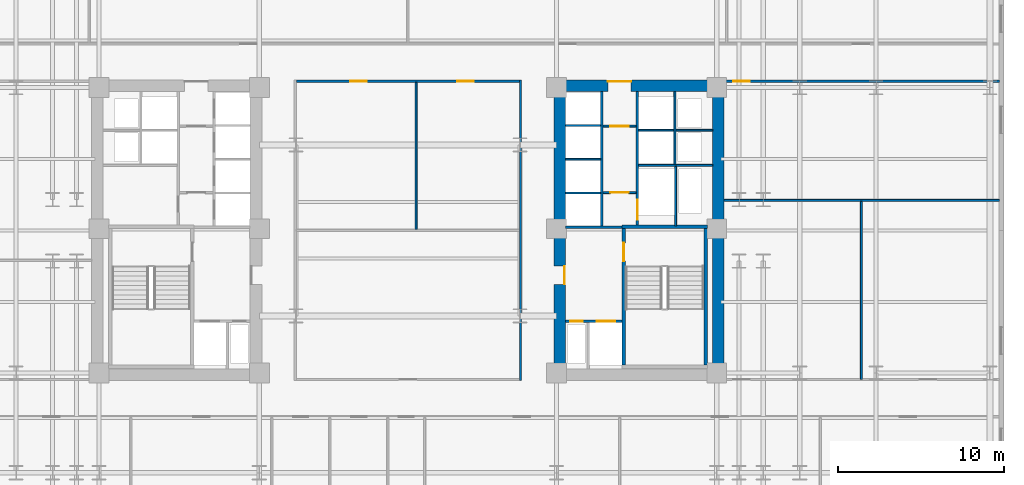
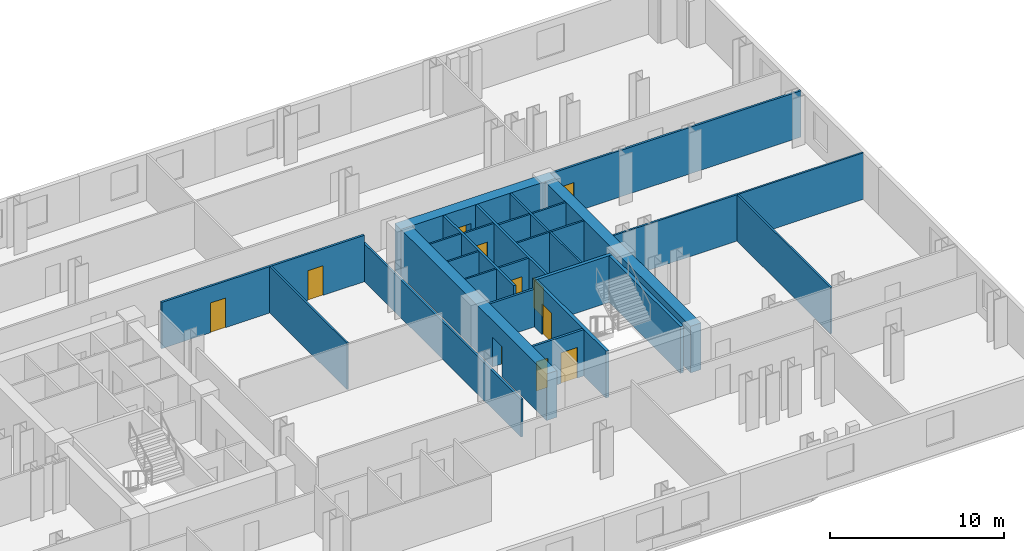
# One storey, part 6 of 10: 26 walls, 11 doors, 11 openings.
"""IFC4 building model written with IfcOpenShell, lengths in metres."""

import ifcopenshell
import ifcopenshell.guid

model = None  # the IFC model being written
_history = None  # IfcOwnerHistory: only IFC2X3 demands one
_inside = {}  # id of a spatial element -> (the spatial element, [elements in it])
_under = {}  # id of a project, library or spatial element -> (it, [spatial elements below it])
_declared = {}  # id of a project -> (the project, [libraries it declares])
_typed = {}  # id of a type object -> (the type object, [elements of that type])
_made_of = {}  # id of a material, layer set ... -> (it, [elements and type objects made of it])


def new_model(schema):
    """Start an empty IFC model of exactly this schema.

    Asked for "IFC4X3", IfcOpenShell would pick the latest addendum, in which some entities
    have other attributes; the version numbers below select the first issue.
    IFC2X3 requires an IfcOwnerHistory on every rooted entity: one is made here for all.
    """
    global model, _history
    if schema == "IFC4X3":
        model = ifcopenshell.file(schema_version=(4, 3, 0, 0))
    else:
        model = ifcopenshell.file(schema=schema)
    _inside.clear()
    _under.clear()
    _declared.clear()
    _typed.clear()
    _made_of.clear()
    _history = None
    if model.schema == "IFC2X3":
        org = make("IfcOrganization", Name="unknown")
        user = make(
            "IfcPersonAndOrganization",
            ThePerson=make("IfcPerson", FamilyName="unknown"),
            TheOrganization=org,
        )
        app = make(
            "IfcApplication",
            ApplicationDeveloper=org,
            Version="unknown",
            ApplicationFullName="unknown",
            ApplicationIdentifier="unknown",
        )
        _history = make(
            "IfcOwnerHistory",
            OwningUser=user,
            OwningApplication=app,
            ChangeAction="ADDED",
            CreationDate=0,
        )
    return model


def make(cls, **values):
    """One entity of the class cls with the attributes given. An attribute that is None is left unset."""
    return model.create_entity(
        cls, **{name: value for name, value in values.items() if value is not None}
    )


def rooted(cls, **values):
    """An entity with a GlobalId (a new one), such as an element, a storey or a relation."""
    return make(cls, GlobalId=ifcopenshell.guid.new(), OwnerHistory=_history, **values)


def si_unit(unit_type, name, prefix=None):
    """IfcSIUnit, for example si_unit("LENGTHUNIT", "METRE", prefix="MILLI")."""
    return make("IfcSIUnit", UnitType=unit_type, Prefix=prefix, Name=name)


def assignment(units):
    """IfcUnitAssignment: the units of a project."""
    return None if units is None else make("IfcUnitAssignment", Units=units)


def point(xyz):
    """IfcCartesianPoint."""
    return None if xyz is None else make("IfcCartesianPoint", Coordinates=xyz)


def direction(xyz):
    """IfcDirection."""
    return None if xyz is None else make("IfcDirection", DirectionRatios=xyz)


def frame(location, z_axis=None, x_axis=None):
    """IfcAxis2Placement3D, a coordinate frame: its origin and axes. An axis left out is left unset."""
    return make(
        "IfcAxis2Placement3D",
        Location=point(location),
        Axis=direction(z_axis),
        RefDirection=direction(x_axis),
    )


def frame_2d(location, x_axis=None):
    """IfcAxis2Placement2D, a coordinate frame in the plane: its origin and x axis."""
    return make(
        "IfcAxis2Placement2D", Location=point(location), RefDirection=direction(x_axis)
    )


def origin():
    """The frame at (0, 0, 0) with its axes left unset."""
    return frame((0.0, 0.0, 0.0))


def place(relative_to, where):
    """IfcLocalPlacement: puts the frame where relative to a parent placement (None: the world)."""
    return make(
        "IfcLocalPlacement", PlacementRelTo=relative_to, RelativePlacement=where
    )


def context(
    kind, dimensions, precision=None, world=None, true_north=None, identifier=None
):
    """IfcGeometricRepresentationContext, for example the 3D "Model" context."""
    return make(
        "IfcGeometricRepresentationContext",
        ContextIdentifier=identifier,
        ContextType=kind,
        CoordinateSpaceDimension=dimensions,
        Precision=precision,
        WorldCoordinateSystem=world,
        TrueNorth=true_north,
    )


def subcontext(parent, identifier, kind, view, scale=None):
    """IfcGeometricRepresentationSubContext, for example "Body" below "Model"."""
    return make(
        "IfcGeometricRepresentationSubContext",
        ContextIdentifier=identifier,
        ContextType=kind,
        ParentContext=parent,
        TargetScale=scale,
        TargetView=view,
    )


def project(units=None, contexts=None):
    """IfcProject with its units and contexts."""
    return rooted(
        "IfcProject",
        Name="project",
        RepresentationContexts=contexts,
        UnitsInContext=assignment(units),
    )


def spatial(cls, under=None, at=None, **own):
    """A site, building, storey or space (cls), placed at a placement, below another one or the project."""
    s = rooted(cls, ObjectPlacement=at, **own)
    if under is not None:
        _under.setdefault(under.id(), (under, []))[1].append(s)
    return s


def profile(cls, at=None, kind="AREA", **sizes):
    """A parametric profile (cls). Its sizes go by their IFC names, for example OverallWidth=200.0."""
    return make(cls, ProfileType=kind, Position=at, **sizes)


def rectangle(**sizes):
    """IfcRectangleProfileDef."""
    return profile("IfcRectangleProfileDef", **sizes)


def extrude(swept, where, along, depth):
    """IfcExtrudedAreaSolid: the profile swept, set in the frame where, extruded along a direction by depth."""
    return make(
        "IfcExtrudedAreaSolid",
        SweptArea=swept,
        Position=where,
        ExtrudedDirection=direction(along),
        Depth=depth,
    )


def shape(context_of_items, identifier, shape_type, items):
    """IfcShapeRepresentation: the items that make up one representation, for example the "Body"."""
    return make(
        "IfcShapeRepresentation",
        ContextOfItems=context_of_items,
        RepresentationIdentifier=identifier,
        RepresentationType=shape_type,
        Items=items,
    )


def material(Name=None, Category=None):
    """IfcMaterial."""
    return make("IfcMaterial", Name=Name, Category=Category)


def layer(
    of_material, thickness, ventilated=None, Name=None, Category=None, Priority=None
):
    """IfcMaterialLayer: one layer of a wall or slab, of a material (None: an air gap)."""
    return make(
        "IfcMaterialLayer",
        Material=of_material,
        LayerThickness=thickness,
        IsVentilated=ventilated,
        Name=Name,
        Category=Category,
        Priority=Priority,
    )


def layer_set(layers, Name=None):
    """IfcMaterialLayerSet."""
    return make("IfcMaterialLayerSet", MaterialLayers=layers, LayerSetName=Name)


def made_of(thing, what):
    """Note that an element or type object is made of a material, layer set ...; save() writes the relation."""
    if what is not None:
        _made_of.setdefault(what.id(), (what, []))[1].append(thing)
    return thing


def type_object(cls, material=None, **own):
    """A type object (cls), such as IfcWallType, which elements share."""
    return made_of(rooted(cls, **own), material)


def element(
    cls,
    number,
    at=None,
    inside=None,
    cuts=None,
    type_object=None,
    material=None,
    context=None,
    identifier="Body",
    shape_type=None,
    held_by="IfcProductDefinitionShape",
    body=None,
    shapes=None,
    **own,
):
    """One element of the class cls, such as IfcWall. Its Tag is "e" and its number.

    at: its placement. inside: the storey or other place that contains it. cuts: it is an
    opening in that element (IfcRelVoidsElement). A single representation is given by context,
    identifier, shape_type and body (its items); several are given by shapes. held_by: the class
    of the entity that holds the representations. save() writes the other relations.
    """
    e = rooted(cls, Tag="e%d" % number, ObjectPlacement=at, **own)
    if body is not None:
        shapes = [shape(context, identifier, shape_type, body)]
    if shapes is not None:
        e.Representation = make(held_by, Representations=shapes)
    if inside is not None:
        _inside.setdefault(inside.id(), (inside, []))[1].append(e)
    if cuts is not None:
        rooted(
            "IfcRelVoidsElement", RelatingBuildingElement=cuts, RelatedOpeningElement=e
        )
    if type_object is not None:
        _typed.setdefault(type_object.id(), (type_object, []))[1].append(e)
    return made_of(e, material)


def fill(opening, filler):
    """IfcRelFillsElement: the door or window that sits in an opening."""
    return rooted(
        "IfcRelFillsElement",
        RelatingOpeningElement=opening,
        RelatedBuildingElement=filler,
    )


def aggregate(whole, parts):
    """IfcRelAggregates: a whole, such as a stair, and the parts it consists of."""
    return rooted("IfcRelAggregates", RelatingObject=whole, RelatedObjects=parts)


def save(model, path):
    """Write the relations noted so far, then the file.

    IfcRelAggregates (storeys below a building ...), IfcRelContainedInSpatialStructure (elements
    in a storey), IfcRelDefinesByType, IfcRelAssociatesMaterial and IfcRelDeclares: one each for
    every whole, place, type object, material and project.
    """
    for whole, parts in _under.values():
        aggregate(whole, parts)
    for where, things in _inside.values():
        rooted(
            "IfcRelContainedInSpatialStructure",
            RelatedElements=things,
            RelatingStructure=where,
        )
    for kind, things in _typed.values():
        rooted("IfcRelDefinesByType", RelatedObjects=things, RelatingType=kind)
    for what, things in _made_of.values():
        rooted("IfcRelAssociatesMaterial", RelatedObjects=things, RelatingMaterial=what)
    for by, libraries in _declared.values():
        rooted("IfcRelDeclares", RelatingContext=by, RelatedDefinitions=libraries)
    model.write(path)


model = new_model("IFC4")

# Units and contexts
model_context = context("Model", 3, precision=1e-05, world=origin(), true_north=direction((0.0, 1.0)))
body_context = subcontext(model_context, "Body", "Model", "MODEL_VIEW")
ifc_project = project(units=[si_unit("LENGTHUNIT", "METRE"), si_unit("AREAUNIT", "SQUARE_METRE"), si_unit("VOLUMEUNIT", "CUBIC_METRE"), si_unit("PLANEANGLEUNIT", "RADIAN"), si_unit("MASSUNIT", "GRAM", prefix="KILO")], contexts=[model_context])

# Site, building, storey
site_placement = place(None, origin())
site = spatial("IfcSite", under=ifc_project, at=site_placement, CompositionType="ELEMENT")
building_placement = place(site_placement, origin())
building = spatial("IfcBuilding", under=site, at=building_placement, Name="Velakula Bourse", CompositionType="ELEMENT")
storey_placement = place(building_placement, frame((0.0, 0.0, 55.35009765625)))
storey = spatial("IfcBuildingStorey", under=building, at=storey_placement, Name="L14", CompositionType="ELEMENT", Elevation=55.35009765625)

# Wall, opening, door
ifc_material_1 = material(Name="Concrete M50 (fck 50 MPa)", Category="concrete")
ifc_layer_1 = layer(ifc_material_1, 0.2099609375, Name="Concrete M50 (fck 50 MPa)", Category="concrete")
ifc_layer_set_1 = layer_set([ifc_layer_1], Name="Concrete M50 (fck 50 MPa)")
wall_type_1 = type_object("IfcWallType", Name="WL-CORE-210", PredefinedType="SHEAR", material=ifc_layer_set_1)
wall_1_placement = place(storey_placement, frame((12.9951171875, -8.10009765625, 0.0), z_axis=(0.0, 0.0, 1.0), x_axis=(0.0, 1.0, 0.0)))
wall_1 = element("IfcWall", 1, at=wall_1_placement, inside=storey, type_object=wall_type_1, Name="L14 Core E Stairwell Shear Wall IN", PredefinedType="SHEAR", context=body_context, shape_type="SweptSolid", body=[
    extrude(rectangle(XDim=8.2001953125, YDim=0.2099609375, at=frame_2d((4.10009765625, 0.0))), origin(), (0.0, 0.0, 1.0), 3.27001953125),
])
opening_1_placement = place(wall_1_placement, frame((6.25, 0.0, 0.0)))
opening_1 = element("IfcOpeningElement", 2, at=opening_1_placement, cuts=wall_1, Name="Opening D-STE1", PredefinedType="OPENING", context=body_context, shape_type="SweptSolid", body=[
    extrude(rectangle(XDim=1.10009765625, YDim=2.14990234375, at=frame_2d((0.550048828125, 1.074951171875))), frame((0.0, 0.114990234375, 0.0), z_axis=(0.0, -1.0, 0.0), x_axis=(1.0, 0.0, 0.0)), (0.0, 0.0, 1.0), 0.22998046875),
])
ifc_material_2 = material(Name="Galvanised painted hollow steel fire door", Category="steel")
door_type_1 = type_object("IfcDoorType", Name="DR-FD120-1100x2150", OperationType="NOTDEFINED", PredefinedType="DOOR", material=ifc_material_2)
door_1_placement = place(opening_1_placement, origin())
door_1 = element("IfcDoor", 3, at=door_1_placement, inside=storey, type_object=door_type_1, Name="L14 Stair ST-E1 Fire Door", OperationType="SINGLE_SWING_RIGHT", OverallHeight=2.14990234375, OverallWidth=1.10009765625, PredefinedType="DOOR", context=body_context, shape_type="SweptSolid", body=[
    extrude(rectangle(XDim=1.10009765625, YDim=2.14990234375, at=frame_2d((0.550048828125, 1.074951171875))), frame((0.0, 0.02490234375, 0.0), z_axis=(0.0, -1.0, 0.0), x_axis=(1.0, 0.0, 0.0)), (0.0, 0.0, 1.0), 0.050048828125),
])
fill(opening_1, door_1)

# Walls
wall_2_placement = place(storey_placement, frame((17.925048828125, -8.10009765625, 0.0), z_axis=(0.0, 0.0, 1.0), x_axis=(0.0, 1.0, 0.0)))
element("IfcWall", 4, at=wall_2_placement, inside=storey, type_object=wall_type_1, Name="L14 Core E Stairwell Shear Wall OUT", PredefinedType="SHEAR", context=body_context, shape_type="SweptSolid", body=[
    extrude(rectangle(XDim=8.2001953125, YDim=0.2099609375, at=frame_2d((4.10009765625, 0.0))), origin(), (0.0, 0.0, 1.0), 3.27001953125),
])
wall_3_placement = place(storey_placement, frame((18.030029296875, 0.205078125, 0.0), z_axis=(0.0, 0.0, 1.0), x_axis=(-1.0, 0.0, 0.0)))
element("IfcWall", 5, at=wall_3_placement, inside=storey, type_object=wall_type_1, Name="L14 Core E Stairwell Shear Wall N", PredefinedType="SHEAR", context=body_context, shape_type="SweptSolid", body=[
    extrude(rectangle(XDim=5.14013671875, YDim=0.2099609375, at=frame_2d((2.570068359375, 0.0))), origin(), (0.0, 0.0, 1.0), 3.27001953125),
])

# Wall, opening, door
ifc_material_3 = material(Name="Concrete M70 (fck 70 MPa)", Category="concrete")
ifc_layer_2 = layer(ifc_material_3, 0.699951171875, Name="Concrete M70 (fck 70 MPa)", Category="concrete")
ifc_layer_set_2 = layer_set([ifc_layer_2], Name="Concrete M70 (fck 70 MPa)")
wall_type_2 = type_object("IfcWallType", Name="WL-CORE-700", PredefinedType="SHEAR", material=ifc_layer_set_2)
wall_4_placement = place(storey_placement, frame((8.800048828125, 8.699951171875, 0.0), z_axis=(0.0, 0.0, 1.0), x_axis=(1.0, 0.0, 0.0)))
wall_4 = element("IfcWall", 6, at=wall_4_placement, inside=storey, type_object=wall_type_2, Name="L14 Core E Shear Wall N", PredefinedType="SHEAR", context=body_context, shape_type="SweptSolid", body=[
    extrude(rectangle(XDim=10.25, YDim=0.699951171875, at=frame_2d((5.125, 0.0))), origin(), (0.0, 0.0, 1.0), 3.27001953125),
])
opening_2_placement = place(wall_4_placement, frame((3.25, 0.0, 0.0)))
opening_2 = element("IfcOpeningElement", 7, at=opening_2_placement, cuts=wall_4, Name="Opening D-LLE", PredefinedType="OPENING", context=body_context, shape_type="SweptSolid", body=[
    extrude(rectangle(XDim=1.39990234375, YDim=2.050048828125, at=frame_2d((0.699951171875, 1.02490234375))), frame((0.0, 0.35986328125, 0.0), z_axis=(0.0, -1.0, 0.0), x_axis=(1.0, 0.0, 0.0)), (0.0, 0.0, 1.0), 0.719970703125),
])
ifc_material_4 = material(Name="Fire-rated hardwood flush architectural door", Category="wood")
door_type_2 = type_object("IfcDoorType", Name="DR-DBL-FD60-1400", OperationType="DOUBLE_DOOR_SINGLE_SWING", PredefinedType="DOOR", material=ifc_material_4)
door_2_placement = place(opening_2_placement, origin())
door_2 = element("IfcDoor", 8, at=door_2_placement, inside=storey, type_object=door_type_2, Name="L14 Core E Lift Lobby Corridor Double Door", OperationType="DOUBLE_DOOR_SINGLE_SWING", OverallHeight=2.050048828125, OverallWidth=1.39990234375, PredefinedType="DOOR", context=body_context, shape_type="SweptSolid", body=[
    extrude(rectangle(XDim=1.39990234375, YDim=2.050048828125, at=frame_2d((0.699951171875, 1.02490234375))), frame((0.0, 0.294921875, 0.0), z_axis=(0.0, -1.0, 0.0), x_axis=(1.0, 0.0, 0.0)), (0.0, 0.0, 1.0), 0.050048828125),
])
fill(opening_2, door_2)

wall_5_placement = place(storey_placement, frame((9.14990234375, -8.35009765625, 0.0), z_axis=(0.0, 0.0, 1.0), x_axis=(0.0, 1.0, 0.0)))
wall_5 = element("IfcWall", 9, at=wall_5_placement, inside=storey, type_object=wall_type_2, Name="L14 Core E Shear Wall W", PredefinedType="SHEAR", context=body_context, shape_type="SweptSolid", body=[
    extrude(rectangle(XDim=16.7001953125, YDim=0.699951171875, at=frame_2d((8.35009765625, 0.0))), origin(), (0.0, 0.0, 1.0), 3.27001953125),
])
opening_3_placement = place(wall_5_placement, frame((5.10009765625, 0.0, 0.0)))
opening_3 = element("IfcOpeningElement", 10, at=opening_3_placement, cuts=wall_5, Name="Opening D-FLE", PredefinedType="OPENING", context=body_context, shape_type="SweptSolid", body=[
    extrude(rectangle(XDim=1.10009765625, YDim=2.080078125, at=frame_2d((0.550048828125, 1.0400390625))), frame((0.0, 0.35986328125, 0.0), z_axis=(0.0, -1.0, 0.0), x_axis=(1.0, 0.0, 0.0)), (0.0, 0.0, 1.0), 0.719970703125),
])
door_type_3 = type_object("IfcDoorType", Name="DR-FD120-1100", OperationType="NOTDEFINED", PredefinedType="DOOR", material=ifc_material_2)
door_3_placement = place(opening_3_placement, origin())
door_3 = element("IfcDoor", 11, at=door_3_placement, inside=storey, type_object=door_type_3, Name="L14 Firefighting Lobby E Corridor Fire Door", OperationType="SINGLE_SWING_RIGHT", OverallHeight=2.080078125, OverallWidth=1.10009765625, PredefinedType="DOOR", context=body_context, shape_type="SweptSolid", body=[
    extrude(rectangle(XDim=1.10009765625, YDim=2.080078125, at=frame_2d((0.550048828125, 1.0400390625))), frame((0.0, -0.2548828125, 0.0), z_axis=(0.0, -1.0, 0.0), x_axis=(1.0, 0.0, 0.0)), (0.0, 0.0, 1.0), 0.050048828125),
])
fill(opening_3, door_3)

# Wall
wall_6_placement = place(storey_placement, frame((18.699951171875, -8.35009765625, 0.0), z_axis=(0.0, 0.0, 1.0), x_axis=(0.0, 1.0, 0.0)))
element("IfcWall", 12, at=wall_6_placement, inside=storey, type_object=wall_type_2, Name="L14 Core E Shear Wall E", PredefinedType="SHEAR", context=body_context, shape_type="SweptSolid", body=[
    extrude(rectangle(XDim=16.7001953125, YDim=0.699951171875, at=frame_2d((8.35009765625, 0.0))), origin(), (0.0, 0.0, 1.0), 3.27001953125),
])

# Wall, opening, door
ifc_material_5 = material(Name="Fire-rated double-layer gypsum drywall partition", Category="gypsum")
ifc_layer_3 = layer(ifc_material_5, 0.1201171875, Name="Fire-rated double-layer gypsum drywall partition", Category="gypsum")
ifc_layer_set_3 = layer_set([ifc_layer_3], Name="Fire-rated double-layer gypsum drywall partition")
wall_type_3 = type_object("IfcWallType", Name="WL-PART-120", PredefinedType="STANDARD", material=ifc_layer_set_3)
wall_7_placement = place(storey_placement, frame((11.75, 2.280029296875, 0.0), z_axis=(0.0, 0.0, 1.0), x_axis=(1.0, 0.0, 0.0)))
wall_7 = element("IfcWall", 13, at=wall_7_placement, inside=storey, type_object=wall_type_3, Name="L14 Interior Partition WL-CRE-L14-LL-K3A", PredefinedType="STANDARD", context=body_context, shape_type="SweptSolid", body=[
    extrude(rectangle(XDim=2.0, YDim=0.1201171875, at=frame_2d((1.0, 0.0))), origin(), (0.0, 0.0, 1.0), 3.25),
])
opening_4_placement = place(wall_7_placement, frame((0.449951171875, 0.0, 0.0)))
opening_4 = element("IfcOpeningElement", 14, at=opening_4_placement, cuts=wall_7, Name="Opening D-LK3", PredefinedType="OPENING", context=body_context, shape_type="SweptSolid", body=[
    extrude(rectangle(XDim=1.10009765625, YDim=2.10009765625, at=frame_2d((0.550048828125, 1.050048828125))), frame((0.0, 0.070068359375, 0.0), z_axis=(0.0, -1.0, 0.0), x_axis=(1.0, 0.0, 0.0)), (0.0, 0.0, 1.0), 0.14013671875),
])
door_type_4 = type_object("IfcDoorType", Name="DR-FD60-1100x2100", OperationType="NOTDEFINED", PredefinedType="DOOR", material=ifc_material_4)
door_4_placement = place(opening_4_placement, origin())
door_4 = element("IfcDoor", 15, at=door_4_placement, inside=storey, type_object=door_type_4, Name="L14 Core E Lift Lobby Vestibule Door A", OperationType="SINGLE_SWING_LEFT", OverallHeight=2.10009765625, OverallWidth=1.10009765625, PredefinedType="DOOR", context=body_context, shape_type="SweptSolid", body=[
    extrude(rectangle(XDim=1.10009765625, YDim=2.10009765625, at=frame_2d((0.550048828125, 1.050048828125))), frame((0.0, 0.02490234375, 0.0), z_axis=(0.0, -1.0, 0.0), x_axis=(1.0, 0.0, 0.0)), (0.0, 0.0, 1.0), 0.050048828125),
])
fill(opening_4, door_4)

wall_8_placement = place(storey_placement, frame((11.75, 6.280029296875, 0.0), z_axis=(0.0, 0.0, 1.0), x_axis=(1.0, 0.0, 0.0)))
wall_8 = element("IfcWall", 16, at=wall_8_placement, inside=storey, type_object=wall_type_3, Name="L14 Interior Partition WL-CRE-L14-LL-K3B", PredefinedType="STANDARD", context=body_context, shape_type="SweptSolid", body=[
    extrude(rectangle(XDim=2.0, YDim=0.1201171875, at=frame_2d((1.0, 0.0))), origin(), (0.0, 0.0, 1.0), 3.25),
])
opening_5_placement = place(wall_8_placement, frame((0.449951171875, 0.0, 0.0)))
opening_5 = element("IfcOpeningElement", 17, at=opening_5_placement, cuts=wall_8, Name="Opening D-LK3", PredefinedType="OPENING", context=body_context, shape_type="SweptSolid", body=[
    extrude(rectangle(XDim=1.10009765625, YDim=2.10009765625, at=frame_2d((0.550048828125, 1.050048828125))), frame((0.0, 0.070068359375, 0.0), z_axis=(0.0, -1.0, 0.0), x_axis=(1.0, 0.0, 0.0)), (0.0, 0.0, 1.0), 0.14013671875),
])
door_5_placement = place(opening_5_placement, origin())
door_5 = element("IfcDoor", 18, at=door_5_placement, inside=storey, type_object=door_type_4, Name="L14 Core E Lift Lobby Vestibule Door B", OperationType="SINGLE_SWING_LEFT", OverallHeight=2.10009765625, OverallWidth=1.10009765625, PredefinedType="DOOR", context=body_context, shape_type="SweptSolid", body=[
    extrude(rectangle(XDim=1.10009765625, YDim=2.10009765625, at=frame_2d((0.550048828125, 1.050048828125))), frame((0.0, 0.02490234375, 0.0), z_axis=(0.0, -1.0, 0.0), x_axis=(1.0, 0.0, 0.0)), (0.0, 0.0, 1.0), 0.050048828125),
])
fill(opening_5, door_5)

# Walls
for number, where, z_axis, x_axis, name in (
    (19, (9.5, 2.2548828125, 0.0), (0.0, 0.0, 1.0), (1.0, 0.0, 0.0), "L14 Interior Partition WL-CRE-L14-BDIV-0"),
    (20, (9.5, 4.284912109375, 0.0), (0.0, 0.0, 1.0), (1.0, 0.0, 0.0), "L14 Interior Partition WL-CRE-L14-BDIV-1"),
    (21, (9.5, 6.31494140625, 0.0), (0.0, 0.0, 1.0), (1.0, 0.0, 0.0), "L14 Interior Partition WL-CRE-L14-BDIV-2"),
):
    element("IfcWall", number, at=place(storey_placement, frame(where, z_axis=z_axis, x_axis=x_axis)), inside=storey, type_object=wall_type_3, Name=name, PredefinedType="STANDARD", context=body_context, shape_type="SweptSolid", body=[
        extrude(rectangle(XDim=2.10009765625, YDim=0.110107421875, at=frame_2d((1.050048828125, 0.0))), origin(), (0.0, 0.0, 1.0), 3.25),
    ])
wall_9_placement = place(storey_placement, frame((13.89990234375, 3.919921875, 0.0), z_axis=(0.0, 0.0, 1.0), x_axis=(1.0, 0.0, 0.0)))
element("IfcWall", 22, at=wall_9_placement, inside=storey, type_object=wall_type_3, Name="L14 Interior Partition WL-CRE-L14-HI-S", PredefinedType="STANDARD", context=body_context, shape_type="SweptSolid", body=[
    extrude(rectangle(XDim=4.4501953125, YDim=0.1201171875, at=frame_2d((2.22509765625, 0.0))), origin(), (0.0, 0.0, 1.0), 3.25),
])
wall_10_placement = place(storey_placement, frame((16.14990234375, 6.030029296875, 0.0), z_axis=(0.0, 0.0, 1.0), x_axis=(1.0, 0.0, 0.0)))
element("IfcWall", 23, at=wall_10_placement, inside=storey, type_object=wall_type_3, Name="L14 Interior Partition WL-CRE-L14-RIS-MID", PredefinedType="STANDARD", context=body_context, shape_type="SweptSolid", body=[
    extrude(rectangle(XDim=2.2001953125, YDim=0.1201171875, at=frame_2d((1.10009765625, 0.0))), origin(), (0.0, 0.0, 1.0), 3.25),
])
wall_11_placement = place(storey_placement, frame((16.074951171875, 3.97998046875, 0.0), z_axis=(0.0, 0.0, 1.0), x_axis=(0.0, 1.0, 0.0)))
element("IfcWall", 24, at=wall_11_placement, inside=storey, type_object=wall_type_3, Name="L14 Interior Partition WL-CRE-L14-RIS-F", PredefinedType="STANDARD", context=body_context, shape_type="SweptSolid", body=[
    extrude(rectangle(XDim=4.3701171875, YDim=0.1201171875, at=frame_2d((2.18505859375, 0.0))), origin(), (0.0, 0.0, 1.0), 3.25),
])
wall_12_placement = place(storey_placement, frame((13.89990234375, 6.030029296875, 0.0), z_axis=(0.0, 0.0, 1.0), x_axis=(1.0, 0.0, 0.0)))
element("IfcWall", 25, at=wall_12_placement, inside=storey, type_object=wall_type_3, Name="L14 Interior Partition WL-CRE-L14-HI-DIV", PredefinedType="STANDARD", context=body_context, shape_type="SweptSolid", body=[
    extrude(rectangle(XDim=2.10009765625, YDim=0.1201171875, at=frame_2d((1.050048828125, 0.0))), origin(), (0.0, 0.0, 1.0), 3.25),
])
wall_13_placement = place(storey_placement, frame((16.125, 0.27001953125, 0.0), z_axis=(0.0, 0.0, 1.0), x_axis=(0.0, 1.0, 0.0)))
element("IfcWall", 26, at=wall_13_placement, inside=storey, type_object=wall_type_3, Name="L14 Interior Partition WL-CRE-L14-SVL-E", PredefinedType="STANDARD", context=body_context, shape_type="SweptSolid", body=[
    extrude(rectangle(XDim=3.590087890625, YDim=0.1201171875, at=frame_2d((1.794921875, 0.0))), origin(), (0.0, 0.0, 1.0), 3.25),
])
wall_14_placement = place(storey_placement, frame((19.050048828125, 1.800048828125, 0.0), z_axis=(0.0, 0.0, 1.0), x_axis=(1.0, 0.0, 0.0)))
element("IfcWall", 27, at=wall_14_placement, inside=storey, type_object=wall_type_3, Name="L14 Interior Partition WL-INT-L14-E-H", PredefinedType="STANDARD", context=body_context, shape_type="SweptSolid", body=[
    extrude(rectangle(XDim=16.570068359375, YDim=0.1201171875, at=frame_2d((8.28515625, 0.0))), origin(), (0.0, 0.0, 1.0), 3.25),
])
wall_15_placement = place(storey_placement, frame((27.304931640625, -8.97998046875, 0.0), z_axis=(0.0, 0.0, 1.0), x_axis=(0.0, 1.0, 0.0)))
element("IfcWall", 28, at=wall_15_placement, inside=storey, type_object=wall_type_3, Name="L14 Interior Partition WL-INT-L14-E-VS", PredefinedType="STANDARD", context=body_context, shape_type="SweptSolid", body=[
    extrude(rectangle(XDim=10.719970703125, YDim=0.1201171875, at=frame_2d((5.35986328125, 0.0))), origin(), (0.0, 0.0, 1.0), 3.25),
])

# Wall, opening, door
ifc_layer_4 = layer(ifc_material_5, 0.139892578125, Name="Fire-rated double-layer gypsum drywall partition", Category="gypsum")
ifc_layer_set_4 = layer_set([ifc_layer_4], Name="Fire-rated double-layer gypsum drywall partition")
wall_type_4 = type_object("IfcWallType", Name="WL-PART-140", PredefinedType="STANDARD", material=ifc_layer_set_4)
wall_16_placement = place(storey_placement, frame((19.050048828125, 8.97998046875, 0.0), z_axis=(0.0, 0.0, 1.0), x_axis=(1.0, 0.0, 0.0)))
wall_16 = element("IfcWall", 29, at=wall_16_placement, inside=storey, type_object=wall_type_4, Name="L14 Interior Partition WL-INT-L14-E-NC", PredefinedType="STANDARD", context=body_context, shape_type="SweptSolid", body=[
    extrude(rectangle(XDim=16.570068359375, YDim=0.139892578125, at=frame_2d((8.28515625, 0.0))), origin(), (0.0, 0.0, 1.0), 3.25),
])
opening_6_placement = place(wall_16_placement, frame((0.53955078125, 0.0, 0.0)))
opening_6 = element("IfcOpeningElement", 30, at=opening_6_placement, cuts=wall_16, Name="Opening D-OF1", PredefinedType="OPENING", context=body_context, shape_type="SweptSolid", body=[
    extrude(rectangle(XDim=1.0, YDim=2.080078125, at=frame_2d((0.5, 1.0400390625))), frame((0.0, 0.079833984375, 0.0), z_axis=(0.0, -1.0, 0.0), x_axis=(1.0, 0.0, 0.0)), (0.0, 0.0, 1.0), 0.159912109375),
])
door_type_5 = type_object("IfcDoorType", Name="DR-OFF-1000", OperationType="NOTDEFINED", PredefinedType="DOOR", material=ifc_material_4)
door_6_placement = place(opening_6_placement, origin())
door_6 = element("IfcDoor", 31, at=door_6_placement, inside=storey, type_object=door_type_5, Name="L14 Asset Allocation Office Door", OperationType="SINGLE_SWING_LEFT", OverallHeight=2.080078125, OverallWidth=1.0, PredefinedType="DOOR", context=body_context, shape_type="SweptSolid", body=[
    extrude(rectangle(XDim=1.0, YDim=2.080078125, at=frame_2d((0.5, 1.0400390625))), frame((0.0, 0.02490234375, 0.0), z_axis=(0.0, -1.0, 0.0), x_axis=(1.0, 0.0, 0.0)), (0.0, 0.0, 1.0), 0.050048828125),
])
fill(opening_6, door_6)

# Wall
wall_17_placement = place(storey_placement, frame((6.780029296875, -9.050048828125, 0.0), z_axis=(0.0, 0.0, 1.0), x_axis=(0.0, 1.0, 0.0)))
element("IfcWall", 32, at=wall_17_placement, inside=storey, type_object=wall_type_4, Name="L14 Interior Partition WL-INT-L14-MID-E", PredefinedType="STANDARD", context=body_context, shape_type="SweptSolid", body=[
    extrude(rectangle(XDim=18.10009765625, YDim=0.139892578125, at=frame_2d((9.050048828125, 0.0))), origin(), (0.0, 0.0, 1.0), 2.64501953125),
])

# Wall, openings, doors
wall_18_placement = place(storey_placement, frame((-6.7099609375, 8.97998046875, 0.0), z_axis=(0.0, 0.0, 1.0), x_axis=(1.0, 0.0, 0.0)))
wall_18 = element("IfcWall", 33, at=wall_18_placement, inside=storey, type_object=wall_type_4, Name="L14 Interior Partition WL-INT-L14-MID-N", PredefinedType="STANDARD", context=body_context, shape_type="SweptSolid", body=[
    extrude(rectangle(XDim=13.419921875, YDim=0.139892578125, at=frame_2d((6.7099609375, 0.0))), origin(), (0.0, 0.0, 1.0), 3.25),
])
opening_7_placement = place(wall_18_placement, frame((3.23095703125, 0.0, 0.0)))
opening_7 = element("IfcOpeningElement", 34, at=opening_7_placement, cuts=wall_18, Name="Opening D-OF1", PredefinedType="OPENING", context=body_context, shape_type="SweptSolid", body=[
    extrude(rectangle(XDim=1.0, YDim=2.080078125, at=frame_2d((0.5, 1.0400390625))), frame((0.0, 0.079833984375, 0.0), z_axis=(0.0, -1.0, 0.0), x_axis=(1.0, 0.0, 0.0)), (0.0, 0.0, 1.0), 0.159912109375),
])
opening_8_placement = place(wall_18_placement, frame((9.68896484375, 0.0, 0.0)))
opening_8 = element("IfcOpeningElement", 35, at=opening_8_placement, cuts=wall_18, Name="Opening D-OF1", PredefinedType="OPENING", context=body_context, shape_type="SweptSolid", body=[
    extrude(rectangle(XDim=1.0, YDim=2.080078125, at=frame_2d((0.5, 1.0400390625))), frame((0.0, 0.079833984375, 0.0), z_axis=(0.0, -1.0, 0.0), x_axis=(1.0, 0.0, 0.0)), (0.0, 0.0, 1.0), 0.159912109375),
])
door_7_placement = place(opening_7_placement, origin())
door_7 = element("IfcDoor", 36, at=door_7_placement, inside=storey, type_object=door_type_5, Name="L14 Risk Committee Room Door", OperationType="SINGLE_SWING_LEFT", OverallHeight=2.080078125, OverallWidth=1.0, PredefinedType="DOOR", context=body_context, shape_type="SweptSolid", body=[
    extrude(rectangle(XDim=1.0, YDim=2.080078125, at=frame_2d((0.5, 1.0400390625))), frame((0.0, 0.02490234375, 0.0), z_axis=(0.0, -1.0, 0.0), x_axis=(1.0, 0.0, 0.0)), (0.0, 0.0, 1.0), 0.050048828125),
])
fill(opening_7, door_7)
door_8_placement = place(opening_8_placement, origin())
door_8 = element("IfcDoor", 37, at=door_8_placement, inside=storey, type_object=door_type_5, Name="L14 Surveillance Review Office Door", OperationType="SINGLE_SWING_RIGHT", OverallHeight=2.080078125, OverallWidth=1.0, PredefinedType="DOOR", context=body_context, shape_type="SweptSolid", body=[
    extrude(rectangle(XDim=1.0, YDim=2.080078125, at=frame_2d((0.5, 1.0400390625))), frame((0.0, 0.02490234375, 0.0), z_axis=(0.0, -1.0, 0.0), x_axis=(1.0, 0.0, 0.0)), (0.0, 0.0, 1.0), 0.050048828125),
])
fill(opening_8, door_8)

# Wall
wall_19_placement = place(storey_placement, frame((0.5, 0.06005859375, 0.0), z_axis=(0.0, 0.0, 1.0), x_axis=(0.0, 1.0, 0.0)))
element("IfcWall", 38, at=wall_19_placement, inside=storey, type_object=wall_type_4, Name="L14 Interior Partition WL-INT-L14-MD3V", PredefinedType="STANDARD", context=body_context, shape_type="SweptSolid", body=[
    extrude(rectangle(XDim=8.849853515625, YDim=0.1201171875, at=frame_2d((4.4248046875, 0.0))), origin(), (0.0, 0.0, 1.0), 3.25),
])

# Wall, openings, doors
ifc_material_6 = material(Name="Autoclaved aerated concrete blockwork masonry", Category="masonry")
ifc_layer_5 = layer(ifc_material_6, 0.14990234375, Name="Autoclaved aerated concrete blockwork masonry", Category="masonry")
ifc_layer_set_5 = layer_set([ifc_layer_5], Name="Autoclaved aerated concrete blockwork masonry")
wall_type_5 = type_object("IfcWallType", Name="WL-SHAFT-150", PredefinedType="STANDARD", material=ifc_layer_set_5)
wall_20_placement = place(storey_placement, frame((9.5, -5.47509765625, 0.0), z_axis=(0.0, 0.0, 1.0), x_axis=(1.0, 0.0, 0.0)))
wall_20 = element("IfcWall", 39, at=wall_20_placement, inside=storey, type_object=wall_type_5, Name="L14 Interior Partition WL-CRE-L14-FFL-N", PredefinedType="STANDARD", context=body_context, shape_type="SweptSolid", body=[
    extrude(rectangle(XDim=3.39501953125, YDim=0.14990234375, at=frame_2d((1.697509765625, 0.0))), origin(), (0.0, 0.0, 1.0), 3.25),
])
opening_9_placement = place(wall_20_placement, frame((1.875, 0.0, 0.0)))
opening_9 = element("IfcOpeningElement", 40, at=opening_9_placement, cuts=wall_20, Name="Opening LD-FFL-2", PredefinedType="OPENING", context=body_context, shape_type="SweptSolid", body=[
    extrude(rectangle(XDim=1.10009765625, YDim=2.14990234375, at=frame_2d((0.550048828125, 1.074951171875))), frame((0.0, 0.0849609375, 0.0), z_axis=(0.0, -1.0, 0.0), x_axis=(1.0, 0.0, 0.0)), (0.0, 0.0, 1.0), 0.169921875),
])
opening_10_placement = place(wall_20_placement, frame((0.27490234375, 0.0, 0.0)))
opening_10 = element("IfcOpeningElement", 41, at=opening_10_placement, cuts=wall_20, Name="Opening D-RS1", PredefinedType="OPENING", context=body_context, shape_type="SweptSolid", body=[
    extrude(rectangle(XDim=0.75, YDim=2.050048828125, at=frame_2d((0.375, 1.02490234375))), frame((0.0, 0.0849609375, 0.0), z_axis=(0.0, -1.0, 0.0), x_axis=(1.0, 0.0, 0.0)), (0.0, 0.0, 1.0), 0.169921875),
])
door_type_6 = type_object("IfcDoorType", Name="DR-RISER-800", OperationType="NOTDEFINED", PredefinedType="DOOR", material=ifc_material_2)
door_9_placement = place(opening_10_placement, origin())
door_9 = element("IfcDoor", 42, at=door_9_placement, inside=storey, type_object=door_type_6, Name="L14 Fire Riser Access Door", OperationType="SINGLE_SWING_LEFT", OverallHeight=2.050048828125, OverallWidth=0.75, PredefinedType="DOOR", context=body_context, shape_type="SweptSolid", body=[
    extrude(rectangle(XDim=0.75, YDim=2.050048828125, at=frame_2d((0.375, 1.02490234375))), frame((0.0, 0.02490234375, 0.0), z_axis=(0.0, -1.0, 0.0), x_axis=(1.0, 0.0, 0.0)), (0.0, 0.0, 1.0), 0.050048828125),
])
fill(opening_10, door_9)
ifc_material_7 = material(Name="Brushed grade 316 stainless steel", Category="steel")
door_type_7 = type_object("IfcDoorType", Name="DR-SLIDE-FFL-1100", OperationType="DOUBLE_DOOR_SLIDING", PredefinedType="DOOR", material=ifc_material_7)
door_10_placement = place(opening_9_placement, origin())
door_10 = element("IfcDoor", 43, at=door_10_placement, inside=storey, type_object=door_type_7, Name="L14 Firefighting Lift FFL-2 Sliding Landing Door", OperationType="DOUBLE_DOOR_SLIDING", OverallHeight=2.14990234375, OverallWidth=1.10009765625, PredefinedType="DOOR", context=body_context, shape_type="SweptSolid", body=[
    extrude(rectangle(XDim=1.10009765625, YDim=2.14990234375, at=frame_2d((0.550048828125, 1.074951171875))), frame((0.0, 0.02490234375, 0.0), z_axis=(0.0, -1.0, 0.0), x_axis=(1.0, 0.0, 0.0)), (0.0, 0.0, 1.0), 0.050048828125),
])
fill(opening_9, door_10)

# Walls
wall_21_placement = place(storey_placement, frame((9.5, 0.18994140625, 0.0), z_axis=(0.0, 0.0, 1.0), x_axis=(1.0, 0.0, 0.0)))
element("IfcWall", 44, at=wall_21_placement, inside=storey, type_object=wall_type_5, Name="L14 Interior Partition WL-CRE-L14-FF-TOP", PredefinedType="STANDARD", context=body_context, shape_type="SweptSolid", body=[
    extrude(rectangle(XDim=3.389892578125, YDim=0.14990234375, at=frame_2d((1.69482421875, 0.0))), origin(), (0.0, 0.0, 1.0), 2.64501953125),
])
wall_22_placement = place(storey_placement, frame((11.675048828125, 0.27001953125, 0.0), z_axis=(0.0, 0.0, 1.0), x_axis=(0.0, 1.0, 0.0)))
element("IfcWall", 45, at=wall_22_placement, inside=storey, type_object=wall_type_5, Name="L14 Interior Partition WL-CRE-L14-BANK-F", PredefinedType="STANDARD", context=body_context, shape_type="SweptSolid", body=[
    extrude(rectangle(XDim=8.080078125, YDim=0.14990234375, at=frame_2d((4.0400390625, 0.0))), origin(), (0.0, 0.0, 1.0), 3.25),
])

# Wall, opening, door
wall_23_placement = place(storey_placement, frame((13.824951171875, 0.27001953125, 0.0), z_axis=(0.0, 0.0, 1.0), x_axis=(0.0, 1.0, 0.0)))
wall_23 = element("IfcWall", 46, at=wall_23_placement, inside=storey, type_object=wall_type_5, Name="L14 Interior Partition WL-CRE-L14-OUT-F", PredefinedType="STANDARD", context=body_context, shape_type="SweptSolid", body=[
    extrude(rectangle(XDim=8.080078125, YDim=0.14990234375, at=frame_2d((4.0400390625, 0.0))), origin(), (0.0, 0.0, 1.0), 3.25),
])
opening_11_placement = place(wall_23_placement, frame((0.3798828125, 0.0, 0.0)))
opening_11 = element("IfcOpeningElement", 47, at=opening_11_placement, cuts=wall_23, Name="Opening LD-SVL1", PredefinedType="OPENING", context=body_context, shape_type="SweptSolid", body=[
    extrude(rectangle(XDim=1.199951171875, YDim=2.10009765625, at=frame_2d((0.60009765625, 1.050048828125))), frame((0.0, 0.0849609375, 0.0), z_axis=(0.0, -1.0, 0.0), x_axis=(1.0, 0.0, 0.0)), (0.0, 0.0, 1.0), 0.169921875),
])
door_type_8 = type_object("IfcDoorType", Name="DR-SLIDE-LD-1200", OperationType="DOUBLE_DOOR_SLIDING", PredefinedType="DOOR", material=ifc_material_7)
door_11_placement = place(opening_11_placement, origin())
door_11 = element("IfcDoor", 48, at=door_11_placement, inside=storey, type_object=door_type_8, Name="L14 Service Lift SVL-1 Sliding Landing Door", OperationType="DOUBLE_DOOR_SLIDING", OverallHeight=2.10009765625, OverallWidth=1.199951171875, PredefinedType="DOOR", context=body_context, shape_type="SweptSolid", body=[
    extrude(rectangle(XDim=1.199951171875, YDim=2.10009765625, at=frame_2d((0.60009765625, 1.050048828125))), frame((0.0, 0.02490234375, 0.0), z_axis=(0.0, -1.0, 0.0), x_axis=(1.0, 0.0, 0.0)), (0.0, 0.0, 1.0), 0.050048828125),
])
fill(opening_11, door_11)

save(model, "model.ifc")
